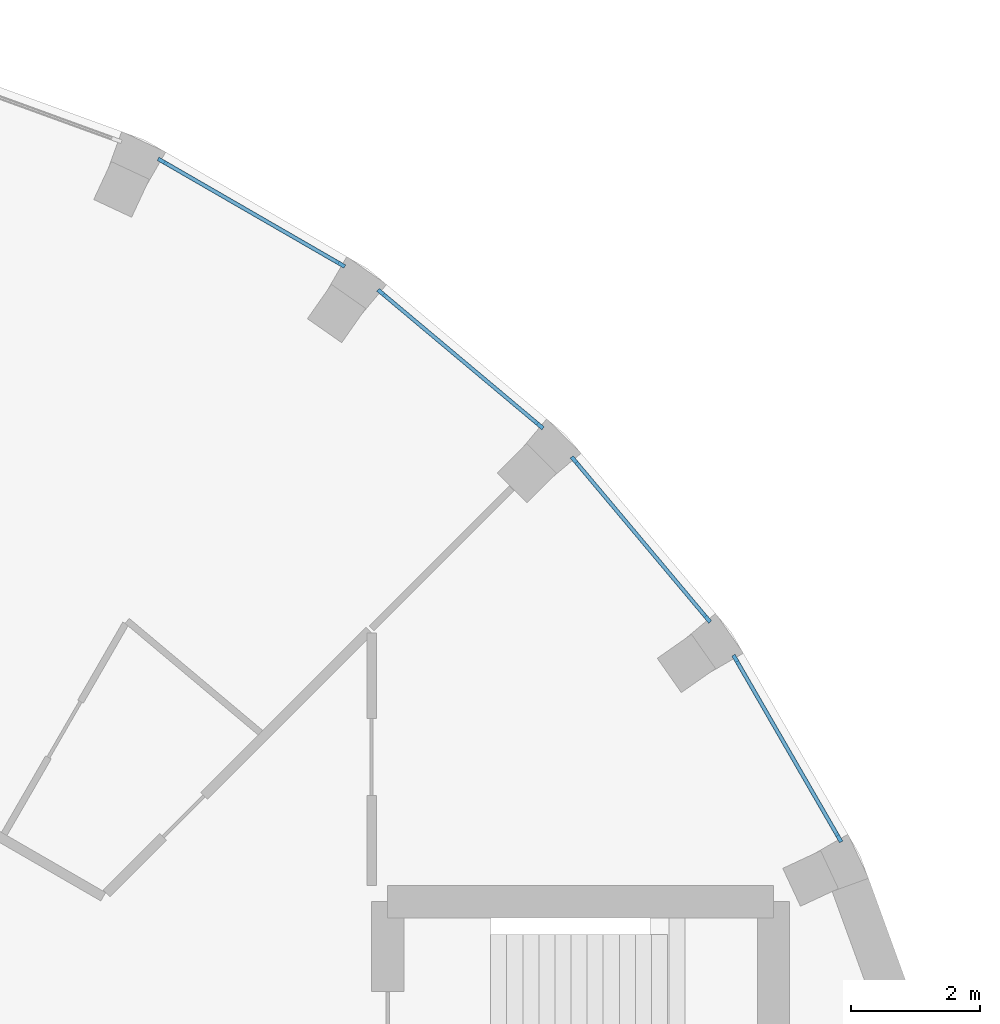
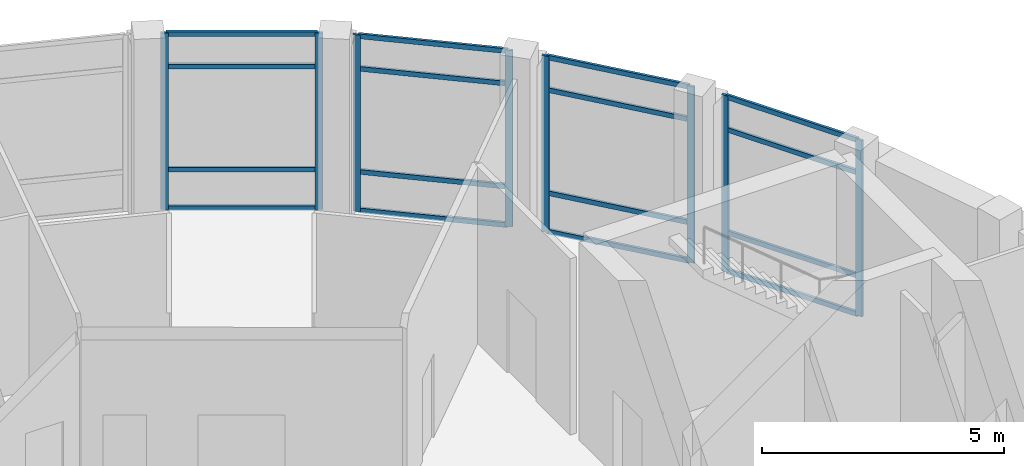
# One storey, part 7 of 16: 24 members, 4 elements without a shape of their own.
"""IFC4 building model written with IfcOpenShell, lengths in metres."""

from ifc_helpers import new_model, si_unit, direction, frame, origin, origin_2d, place, context, subcontext, project, spatial, rectangle, extrude, material, layer, layer_set, material_profile, profile_set, type_object, element, aggregate, save


model = new_model("IFC4")

# Units and contexts
model_context = context("Model", 3, precision=1e-05, world=origin(), true_north=direction((0.0, 1.0)))
body_context = subcontext(model_context, "Body", "Model", "MODEL_VIEW")
ifc_project = project(units=[si_unit("LENGTHUNIT", "METRE"), si_unit("AREAUNIT", "SQUARE_METRE"), si_unit("VOLUMEUNIT", "CUBIC_METRE"), si_unit("PLANEANGLEUNIT", "RADIAN"), si_unit("MASSUNIT", "GRAM", prefix="KILO")], contexts=[model_context])

# Site, building, storey
site_placement = place(None, origin())
site = spatial("IfcSite", under=ifc_project, at=site_placement, CompositionType="ELEMENT")
building_placement = place(site_placement, origin())
building = spatial("IfcBuilding", under=site, at=building_placement, Name="Saqina Gate Tower", CompositionType="ELEMENT")
storey_placement = place(building_placement, frame((0.0, 0.0, 279.199951171875)))
storey = spatial("IfcBuildingStorey", under=building, at=storey_placement, Name="L80", CompositionType="ELEMENT", Elevation=279.199951171875)

# Curtain wall, members
ifc_material_1 = material(Name="Aluminium glazing", Category="aluminium")
ifc_layer = layer(ifc_material_1, 0.159912109375)
ifc_layer_set = layer_set([ifc_layer], Name="CWT-2")
curtain_wall_type = type_object("IfcCurtainWallType", Name="CWT-2", PredefinedType="NOTDEFINED", material=ifc_layer_set)
curtain_wall_1_placement = place(storey_placement, origin())
curtain_wall_1 = element("IfcCurtainWall", 1, at=curtain_wall_1_placement, inside=storey, type_object=curtain_wall_type, Name="Sky lounge glazing facet 3", PredefinedType="NOTDEFINED")
ifc_material_2 = material(Name="Aluminium", Category="aluminium")
ifc_material_profile_1 = material_profile(ifc_material_2, rectangle(XDim=0.06005859375, YDim=0.159912109375, at=origin_2d()), Name="Aluminium 60x160")
ifc_profile_set_1 = profile_set([ifc_material_profile_1], Name="Aluminium")
member_type_1 = type_object("IfcMemberType", Name="CWT-2M", PredefinedType="MULLION", material=ifc_profile_set_1)
member_1_placement = place(storey_placement, frame((20.5107421875, 9.999267578125, 0.0), z_axis=(0.0, 0.0, 1.0), x_axis=(-0.8660355365, -0.499982449212, 0.0)))
member_1 = element("IfcMember", 2, at=member_1_placement, type_object=member_type_1, Name="CW2-03 mullion 1", PredefinedType="MULLION", context=body_context, shape_type="SweptSolid", body=[
    extrude(rectangle(XDim=0.06005859375, YDim=0.159912109375, at=origin_2d()), origin(), (0.0, 0.0, 1.0), 4.449951171875),
])
member_2_placement = place(storey_placement, frame((18.9150390625, 12.763427734375, 0.0), z_axis=(0.0, 0.0, 1.0), x_axis=(-0.8660355365, -0.499982449212, 0.0)))
member_2 = element("IfcMember", 3, at=member_2_placement, type_object=member_type_1, Name="CW2-03 mullion 2", PredefinedType="MULLION", context=body_context, shape_type="SweptSolid", body=[
    extrude(rectangle(XDim=0.06005859375, YDim=0.159912109375, at=origin_2d()), origin(), (0.0, 0.0, 1.0), 4.449951171875),
])

curtain_wall_2_placement = place(storey_placement, origin())
curtain_wall_2 = element("IfcCurtainWall", 4, at=curtain_wall_2_placement, inside=storey, type_object=curtain_wall_type, Name="Sky lounge glazing facet 4", PredefinedType="NOTDEFINED")
member_3_placement = place(storey_placement, frame((18.462890625, 13.408935546875, 0.0), z_axis=(0.0, 0.0, 1.0), x_axis=(-0.766046452821, -0.642785214609, 0.0)))
member_3 = element("IfcMember", 5, at=member_3_placement, type_object=member_type_1, Name="CW2-04 mullion 1", PredefinedType="MULLION", context=body_context, shape_type="SweptSolid", body=[
    extrude(rectangle(XDim=0.06005859375, YDim=0.159912109375, at=origin_2d()), origin(), (0.0, 0.0, 1.0), 4.449951171875),
])
member_4_placement = place(storey_placement, frame((16.411376953125, 15.85400390625, 0.0), z_axis=(0.0, 0.0, 1.0), x_axis=(-0.766046452821, -0.642785214609, 0.0)))
member_4 = element("IfcMember", 6, at=member_4_placement, type_object=member_type_1, Name="CW2-04 mullion 2", PredefinedType="MULLION", context=body_context, shape_type="SweptSolid", body=[
    extrude(rectangle(XDim=0.06005859375, YDim=0.159912109375, at=origin_2d()), origin(), (0.0, 0.0, 1.0), 4.449951171875),
])

curtain_wall_3_placement = place(storey_placement, origin())
curtain_wall_3 = element("IfcCurtainWall", 7, at=curtain_wall_3_placement, inside=storey, type_object=curtain_wall_type, Name="Sky lounge glazing facet 5", PredefinedType="NOTDEFINED")
member_5_placement = place(storey_placement, frame((15.85400390625, 16.411376953125, 0.0), z_axis=(0.0, 0.0, 1.0), x_axis=(-0.642785214609, -0.766046452821, 0.0)))
member_5 = element("IfcMember", 8, at=member_5_placement, type_object=member_type_1, Name="CW2-05 mullion 1", PredefinedType="MULLION", context=body_context, shape_type="SweptSolid", body=[
    extrude(rectangle(XDim=0.06005859375, YDim=0.159912109375, at=origin_2d()), origin(), (0.0, 0.0, 1.0), 4.449951171875),
])
member_6_placement = place(storey_placement, frame((13.408935546875, 18.462890625, 0.0), z_axis=(0.0, 0.0, 1.0), x_axis=(-0.642785214609, -0.766046452821, 0.0)))
member_6 = element("IfcMember", 9, at=member_6_placement, type_object=member_type_1, Name="CW2-05 mullion 2", PredefinedType="MULLION", context=body_context, shape_type="SweptSolid", body=[
    extrude(rectangle(XDim=0.06005859375, YDim=0.159912109375, at=origin_2d()), origin(), (0.0, 0.0, 1.0), 4.449951171875),
])

curtain_wall_4_placement = place(storey_placement, origin())
curtain_wall_4 = element("IfcCurtainWall", 10, at=curtain_wall_4_placement, inside=storey, type_object=curtain_wall_type, Name="Sky lounge glazing facet 6", PredefinedType="NOTDEFINED")
member_7_placement = place(storey_placement, frame((12.763427734375, 18.9150390625, 0.0), z_axis=(0.0, 0.0, 1.0), x_axis=(-0.499982449212, -0.8660355365, 0.0)))
member_7 = element("IfcMember", 11, at=member_7_placement, type_object=member_type_1, Name="CW2-06 mullion 1", PredefinedType="MULLION", context=body_context, shape_type="SweptSolid", body=[
    extrude(rectangle(XDim=0.06005859375, YDim=0.159912109375, at=origin_2d()), origin(), (0.0, 0.0, 1.0), 4.449951171875),
])
member_8_placement = place(storey_placement, frame((9.999267578125, 20.5107421875, 0.0), z_axis=(0.0, 0.0, 1.0), x_axis=(-0.499982449212, -0.8660355365, 0.0)))
member_8 = element("IfcMember", 12, at=member_8_placement, type_object=member_type_1, Name="CW2-06 mullion 2", PredefinedType="MULLION", context=body_context, shape_type="SweptSolid", body=[
    extrude(rectangle(XDim=0.06005859375, YDim=0.159912109375, at=origin_2d()), origin(), (0.0, 0.0, 1.0), 4.449951171875),
])

# Member
ifc_material_3 = material(Name="Aluminium", Category="aluminium")
ifc_material_profile_2 = material_profile(ifc_material_3, rectangle(XDim=0.06005859375, YDim=0.1201171875, at=origin_2d()), Name="Aluminium 60x120")
ifc_profile_set_2 = profile_set([ifc_material_profile_2], Name="Aluminium")
member_type_2 = type_object("IfcMemberType", Name="CWT-2T", PredefinedType="USERDEFINED", material=ifc_profile_set_2)
member_9_placement = place(storey_placement, frame((20.495849609375, 10.025146484375, 0.030029296875), z_axis=(-0.50001262068, 0.866018117109, 0.0), x_axis=(-0.866018117109, -0.50001262068, 0.0)))
member_9 = element("IfcMember", 13, at=member_9_placement, type_object=member_type_2, Name="CW2-03 transom 1.1", ObjectType="TRANSOM", PredefinedType="USERDEFINED", context=body_context, shape_type="SweptSolid", body=[
    extrude(rectangle(XDim=0.06005859375, YDim=0.1201171875, at=origin_2d()), origin(), (0.0, 0.0, 1.0), 3.1318359375),
])

member_10_placement = place(storey_placement, frame((20.495849609375, 10.025146484375, 1.0), z_axis=(-0.50001262068, 0.866018117109, 0.0), x_axis=(-0.866018117109, -0.50001262068, 0.0)))
member_10 = element("IfcMember", 14, at=member_10_placement, type_object=member_type_2, Name="CW2-03 transom 1.2", ObjectType="TRANSOM", PredefinedType="USERDEFINED", context=body_context, shape_type="SweptSolid", body=[
    extrude(rectangle(XDim=0.06005859375, YDim=0.1201171875, at=origin_2d()), origin(), (0.0, 0.0, 1.0), 3.1318359375),
])

member_11_placement = place(storey_placement, frame((20.495849609375, 10.025146484375, 3.60009765625), z_axis=(-0.50001262068, 0.866018117109, 0.0), x_axis=(-0.866018117109, -0.50001262068, 0.0)))
member_11 = element("IfcMember", 15, at=member_11_placement, type_object=member_type_2, Name="CW2-03 transom 1.3", ObjectType="TRANSOM", PredefinedType="USERDEFINED", context=body_context, shape_type="SweptSolid", body=[
    extrude(rectangle(XDim=0.06005859375, YDim=0.1201171875, at=origin_2d()), origin(), (0.0, 0.0, 1.0), 3.1318359375),
])

member_12_placement = place(storey_placement, frame((20.495849609375, 10.025146484375, 4.420166015625), z_axis=(-0.50001262068, 0.866018117109, 0.0), x_axis=(-0.866018117109, -0.50001262068, 0.0)))
member_12 = element("IfcMember", 16, at=member_12_placement, type_object=member_type_2, Name="CW2-03 transom 1.4", ObjectType="TRANSOM", PredefinedType="USERDEFINED", context=body_context, shape_type="SweptSolid", body=[
    extrude(rectangle(XDim=0.06005859375, YDim=0.1201171875, at=origin_2d()), origin(), (0.0, 0.0, 1.0), 3.1318359375),
])

aggregate(curtain_wall_1, [member_1, member_2, member_9, member_10, member_11, member_12])

member_13_placement = place(storey_placement, frame((18.443603515625, 13.431884765625, 0.030029296875), z_axis=(-0.642749544244, 0.766076382206, 0.0), x_axis=(-0.766076382206, -0.642749544244, 0.0)))
member_13 = element("IfcMember", 17, at=member_13_placement, type_object=member_type_2, Name="CW2-04 transom 1.1", ObjectType="TRANSOM", PredefinedType="USERDEFINED", context=body_context, shape_type="SweptSolid", body=[
    extrude(rectangle(XDim=0.06005859375, YDim=0.1201171875, at=origin_2d()), origin(), (0.0, 0.0, 1.0), 3.1318359375),
])

member_14_placement = place(storey_placement, frame((18.443603515625, 13.431884765625, 1.0), z_axis=(-0.642749544244, 0.766076382206, 0.0), x_axis=(-0.766076382206, -0.642749544244, 0.0)))
member_14 = element("IfcMember", 18, at=member_14_placement, type_object=member_type_2, Name="CW2-04 transom 1.2", ObjectType="TRANSOM", PredefinedType="USERDEFINED", context=body_context, shape_type="SweptSolid", body=[
    extrude(rectangle(XDim=0.06005859375, YDim=0.1201171875, at=origin_2d()), origin(), (0.0, 0.0, 1.0), 3.1318359375),
])

member_15_placement = place(storey_placement, frame((18.443603515625, 13.431884765625, 3.60009765625), z_axis=(-0.642749544244, 0.766076382206, 0.0), x_axis=(-0.766076382206, -0.642749544244, 0.0)))
member_15 = element("IfcMember", 19, at=member_15_placement, type_object=member_type_2, Name="CW2-04 transom 1.3", ObjectType="TRANSOM", PredefinedType="USERDEFINED", context=body_context, shape_type="SweptSolid", body=[
    extrude(rectangle(XDim=0.06005859375, YDim=0.1201171875, at=origin_2d()), origin(), (0.0, 0.0, 1.0), 3.1318359375),
])

member_16_placement = place(storey_placement, frame((18.443603515625, 13.431884765625, 4.420166015625), z_axis=(-0.642749544244, 0.766076382206, 0.0), x_axis=(-0.766076382206, -0.642749544244, 0.0)))
member_16 = element("IfcMember", 20, at=member_16_placement, type_object=member_type_2, Name="CW2-04 transom 1.4", ObjectType="TRANSOM", PredefinedType="USERDEFINED", context=body_context, shape_type="SweptSolid", body=[
    extrude(rectangle(XDim=0.06005859375, YDim=0.1201171875, at=origin_2d()), origin(), (0.0, 0.0, 1.0), 3.1318359375),
])

aggregate(curtain_wall_2, [member_3, member_4, member_13, member_14, member_15, member_16])

member_17_placement = place(storey_placement, frame((15.8310546875, 16.4306640625, 0.030029296875), z_axis=(-0.766076382206, 0.642749544244, 0.0), x_axis=(-0.642749544244, -0.766076382206, 0.0)))
member_17 = element("IfcMember", 21, at=member_17_placement, type_object=member_type_2, Name="CW2-05 transom 1.1", ObjectType="TRANSOM", PredefinedType="USERDEFINED", context=body_context, shape_type="SweptSolid", body=[
    extrude(rectangle(XDim=0.06005859375, YDim=0.1201171875, at=origin_2d()), origin(), (0.0, 0.0, 1.0), 3.1318359375),
])

member_18_placement = place(storey_placement, frame((15.8310546875, 16.4306640625, 1.0), z_axis=(-0.766076382206, 0.642749544244, 0.0), x_axis=(-0.642749544244, -0.766076382206, 0.0)))
member_18 = element("IfcMember", 22, at=member_18_placement, type_object=member_type_2, Name="CW2-05 transom 1.2", ObjectType="TRANSOM", PredefinedType="USERDEFINED", context=body_context, shape_type="SweptSolid", body=[
    extrude(rectangle(XDim=0.06005859375, YDim=0.1201171875, at=origin_2d()), origin(), (0.0, 0.0, 1.0), 3.1318359375),
])

member_19_placement = place(storey_placement, frame((15.8310546875, 16.4306640625, 3.60009765625), z_axis=(-0.766076382206, 0.642749544244, 0.0), x_axis=(-0.642749544244, -0.766076382206, 0.0)))
member_19 = element("IfcMember", 23, at=member_19_placement, type_object=member_type_2, Name="CW2-05 transom 1.3", ObjectType="TRANSOM", PredefinedType="USERDEFINED", context=body_context, shape_type="SweptSolid", body=[
    extrude(rectangle(XDim=0.06005859375, YDim=0.1201171875, at=origin_2d()), origin(), (0.0, 0.0, 1.0), 3.1318359375),
])

member_20_placement = place(storey_placement, frame((15.8310546875, 16.4306640625, 4.420166015625), z_axis=(-0.766076382206, 0.642749544244, 0.0), x_axis=(-0.642749544244, -0.766076382206, 0.0)))
member_20 = element("IfcMember", 24, at=member_20_placement, type_object=member_type_2, Name="CW2-05 transom 1.4", ObjectType="TRANSOM", PredefinedType="USERDEFINED", context=body_context, shape_type="SweptSolid", body=[
    extrude(rectangle(XDim=0.06005859375, YDim=0.1201171875, at=origin_2d()), origin(), (0.0, 0.0, 1.0), 3.1318359375),
])

aggregate(curtain_wall_3, [member_5, member_6, member_17, member_18, member_19, member_20])

member_21_placement = place(storey_placement, frame((12.7373046875, 18.929931640625, 0.030029296875), z_axis=(-0.866018117109, 0.50001262068, 0.0), x_axis=(-0.50001262068, -0.866018117109, 0.0)))
member_21 = element("IfcMember", 25, at=member_21_placement, type_object=member_type_2, Name="CW2-06 transom 1.1", ObjectType="TRANSOM", PredefinedType="USERDEFINED", context=body_context, shape_type="SweptSolid", body=[
    extrude(rectangle(XDim=0.06005859375, YDim=0.1201171875, at=origin_2d()), origin(), (0.0, 0.0, 1.0), 3.1318359375),
])

member_22_placement = place(storey_placement, frame((12.7373046875, 18.929931640625, 1.0), z_axis=(-0.866018117109, 0.50001262068, 0.0), x_axis=(-0.50001262068, -0.866018117109, 0.0)))
member_22 = element("IfcMember", 26, at=member_22_placement, type_object=member_type_2, Name="CW2-06 transom 1.2", ObjectType="TRANSOM", PredefinedType="USERDEFINED", context=body_context, shape_type="SweptSolid", body=[
    extrude(rectangle(XDim=0.06005859375, YDim=0.1201171875, at=origin_2d()), origin(), (0.0, 0.0, 1.0), 3.1318359375),
])

member_23_placement = place(storey_placement, frame((12.7373046875, 18.929931640625, 3.60009765625), z_axis=(-0.866018117109, 0.50001262068, 0.0), x_axis=(-0.50001262068, -0.866018117109, 0.0)))
member_23 = element("IfcMember", 27, at=member_23_placement, type_object=member_type_2, Name="CW2-06 transom 1.3", ObjectType="TRANSOM", PredefinedType="USERDEFINED", context=body_context, shape_type="SweptSolid", body=[
    extrude(rectangle(XDim=0.06005859375, YDim=0.1201171875, at=origin_2d()), origin(), (0.0, 0.0, 1.0), 3.1318359375),
])

member_24_placement = place(storey_placement, frame((12.7373046875, 18.929931640625, 4.420166015625), z_axis=(-0.866018117109, 0.50001262068, 0.0), x_axis=(-0.50001262068, -0.866018117109, 0.0)))
member_24 = element("IfcMember", 28, at=member_24_placement, type_object=member_type_2, Name="CW2-06 transom 1.4", ObjectType="TRANSOM", PredefinedType="USERDEFINED", context=body_context, shape_type="SweptSolid", body=[
    extrude(rectangle(XDim=0.06005859375, YDim=0.1201171875, at=origin_2d()), origin(), (0.0, 0.0, 1.0), 3.1318359375),
])

aggregate(curtain_wall_4, [member_7, member_8, member_21, member_22, member_23, member_24])

save(model, "model.ifc")
